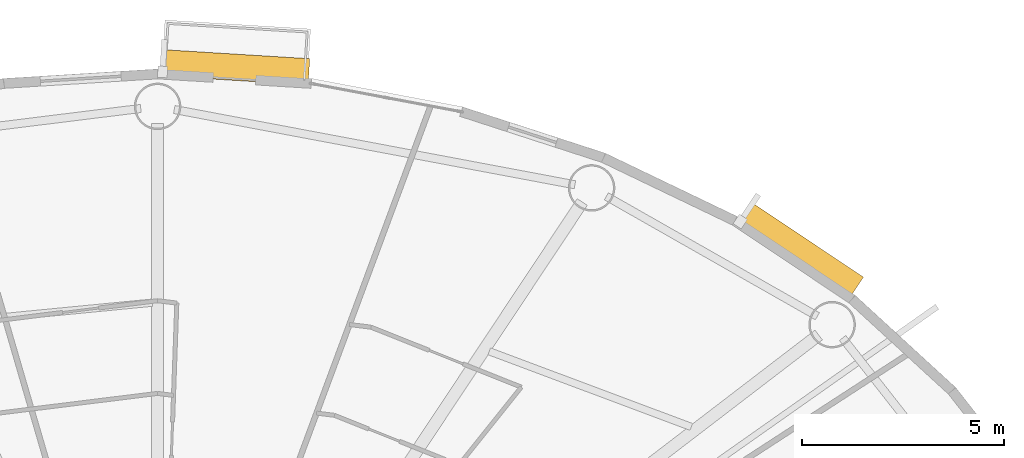
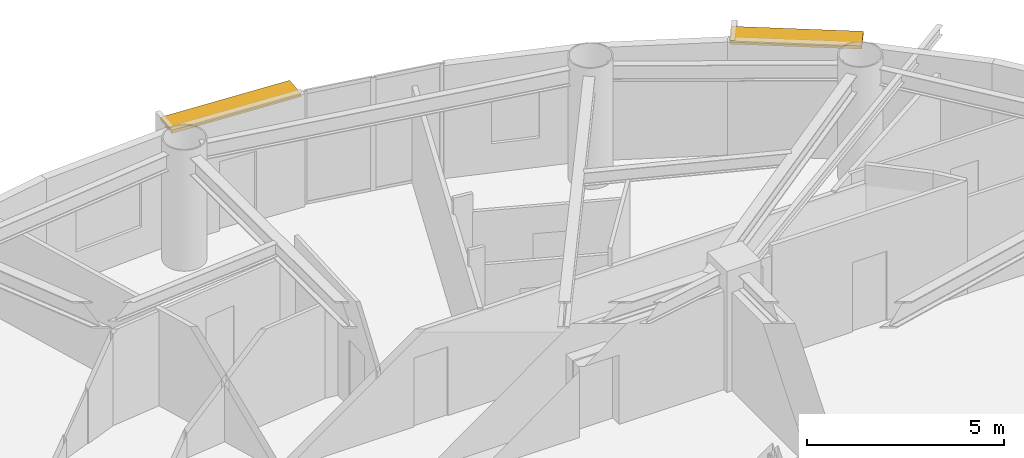
# One storey, part 20 of 20: 2 shading devices.
"""IFC4 building model written with IfcOpenShell, lengths in metres."""

from ifc_helpers import new_model, si_unit, direction, frame, origin, origin_2d, place, context, subcontext, project, spatial, rectangle, extrude, source, transform, mapped, material, layer, layer_set, type_object, element, save


model = new_model("IFC4")

# Units and contexts
model_context = context("Model", 3, precision=1e-05, world=origin(), true_north=direction((0.0, 1.0)))
body_context = subcontext(model_context, "Body", "Model", "MODEL_VIEW")
ifc_project = project(units=[si_unit("LENGTHUNIT", "METRE"), si_unit("AREAUNIT", "SQUARE_METRE"), si_unit("VOLUMEUNIT", "CUBIC_METRE"), si_unit("PLANEANGLEUNIT", "RADIAN"), si_unit("MASSUNIT", "GRAM", prefix="KILO")], contexts=[model_context])

# Site, building, storey
site_placement = place(None, origin())
site = spatial("IfcSite", under=ifc_project, at=site_placement, CompositionType="ELEMENT")
building_placement = place(site_placement, origin())
building = spatial("IfcBuilding", under=site, at=building_placement, Name="Linh Dai School and Residence Tower", CompositionType="ELEMENT")
storey_placement = place(building_placement, frame((0.0, 0.0, 221.550048828125)))
storey = spatial("IfcBuildingStorey", under=building, at=storey_placement, Name="L54", CompositionType="ELEMENT", Elevation=221.550048828125)

# Shading devices
ifc_material = material(Name="Terracotta Ceramic Sunshade", Category="masonry")
ifc_layer = layer(ifc_material, 0.10009765625)
ifc_layer_set = layer_set([ifc_layer], Name="Terracotta Ceramic Sunshade")
shading_device_type = type_object("IfcShadingDeviceType", Name="SHD-TC-650", PredefinedType="USERDEFINED", material=ifc_layer_set)
shared_shape_1 = source(origin(), body_context, "Body", "SweptSolid", [
    extrude(rectangle(XDim=3.3447265625, YDim=0.64990234375, at=origin_2d()), origin(), (0.0, 0.0, 1.0), 0.10009765625),
])
shading_device_1_placement = place(storey_placement, frame((51.88671875, 41.6162109375, 3.3798828125), z_axis=(0.0, 0.0, 1.0), x_axis=(0.831257719597, -0.555887222025, 0.0)))
element("IfcShadingDevice", 1, at=shading_device_1_placement, inside=storey, type_object=shading_device_type, Name="L54 Terracotta Horizontal Sunshade Band 06", ObjectType="SUNSHADE", PredefinedType="USERDEFINED", context=body_context, shape_type="MappedRepresentation", body=[
    mapped(shared_shape_1, transform((0.0, 0.0, 0.0), x_axis=(1.0, 0.0, 0.0), y_axis=(0.0, 1.0, 0.0), z_axis=(0.0, 0.0, 1.0), scale=1.0)),
])
shared_shape_2 = source(origin(), body_context, "Body", "SweptSolid", [
    extrude(rectangle(XDim=3.656494140625, YDim=0.64990234375, at=origin_2d()), origin(), (0.0, 0.0, 1.0), 0.10009765625),
])
shading_device_2_placement = place(storey_placement, frame((37.91845703125, 46.147216796875, 3.3798828125), z_axis=(0.0, 0.0, 1.0), x_axis=(0.998106809974, -0.061504437922, 0.0)))
element("IfcShadingDevice", 2, at=shading_device_2_placement, inside=storey, type_object=shading_device_type, Name="L54 Terracotta Horizontal Sunshade Band 10", ObjectType="SUNSHADE", PredefinedType="USERDEFINED", context=body_context, shape_type="MappedRepresentation", body=[
    mapped(shared_shape_2, transform((0.0, 0.0, 0.0), x_axis=(1.0, 0.0, 0.0), y_axis=(0.0, 1.0, 0.0), z_axis=(0.0, 0.0, 1.0), scale=1.0)),
])

save(model, "model.ifc")
